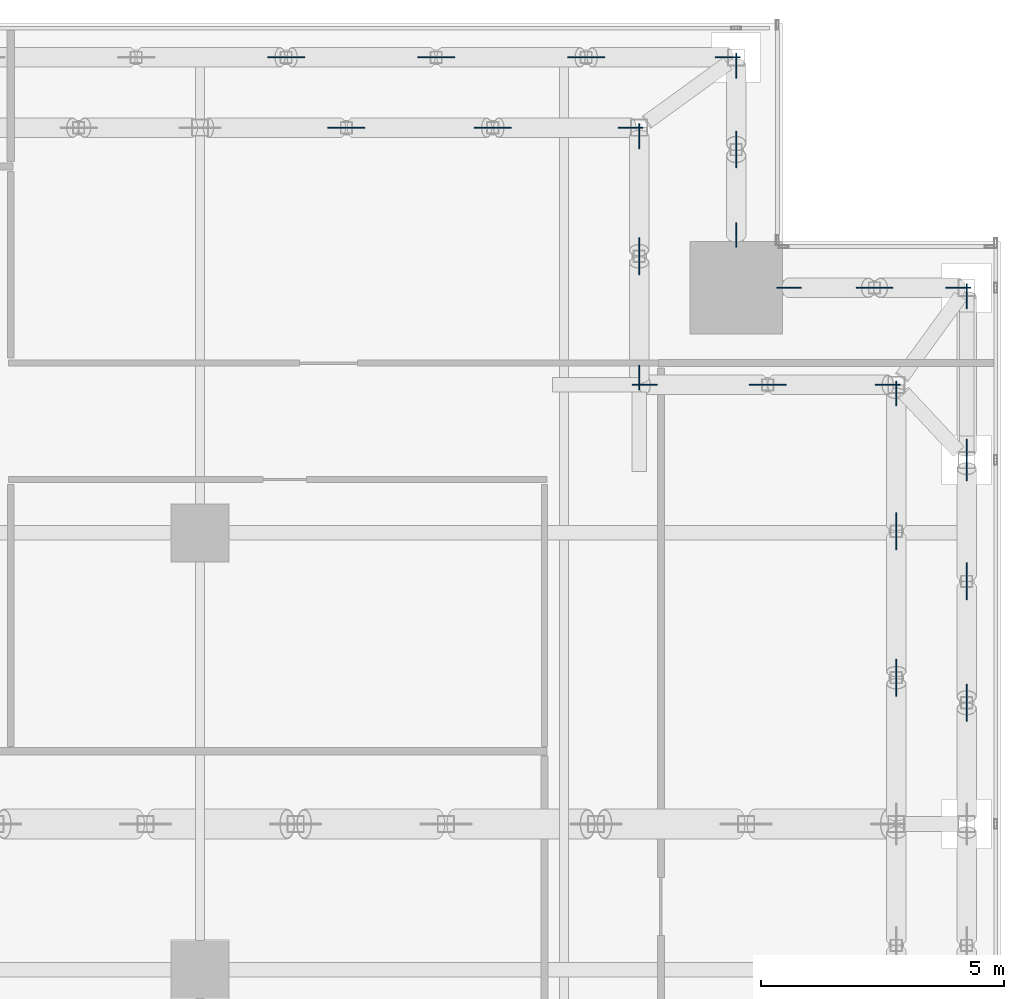
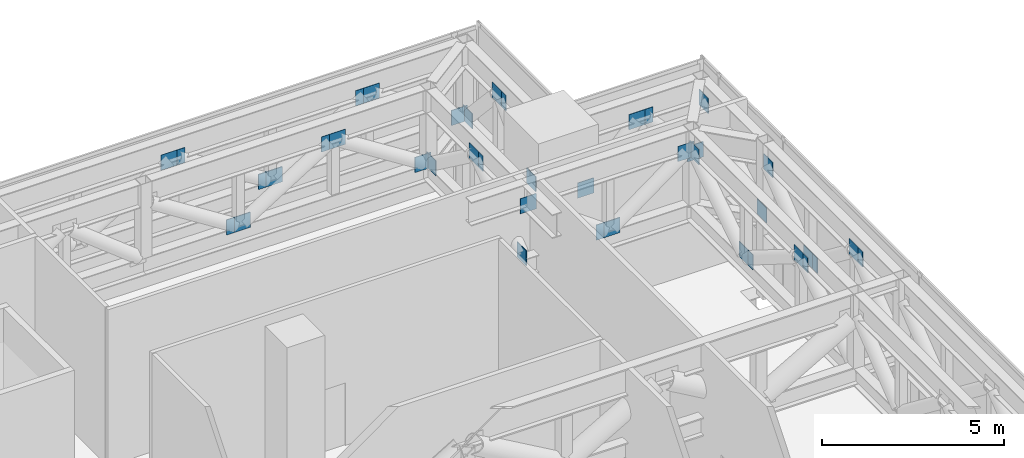
# One storey, part 35 of 36: 40 discrete accessories.
"""IFC4 building model written with IfcOpenShell, lengths in metres."""

from ifc_helpers import new_model, si_unit, direction, frame, origin, origin_2d, place, context, subcontext, project, spatial, rectangle, extrude, source, transform, mapped, material, layer, layer_set, type_object, element, save


model = new_model("IFC4")

# Units and contexts
model_context = context("Model", 3, precision=1e-05, world=origin(), true_north=direction((0.0, 1.0)))
body_context = subcontext(model_context, "Body", "Model", "MODEL_VIEW")
ifc_project = project(units=[si_unit("LENGTHUNIT", "METRE"), si_unit("AREAUNIT", "SQUARE_METRE"), si_unit("VOLUMEUNIT", "CUBIC_METRE"), si_unit("PLANEANGLEUNIT", "RADIAN"), si_unit("MASSUNIT", "GRAM", prefix="KILO")], contexts=[model_context])

# Site, building, storey
site_placement = place(None, origin())
site = spatial("IfcSite", under=ifc_project, at=site_placement, CompositionType="ELEMENT")
building_placement = place(site_placement, origin())
building = spatial("IfcBuilding", under=site, at=building_placement, Name="Khomas Fold Tower", CompositionType="ELEMENT")
storey_placement = place(building_placement, frame((0.0, 0.0, 216.699951171875)))
storey = spatial("IfcBuildingStorey", under=building, at=storey_placement, Name="L48", CompositionType="ELEMENT", Elevation=216.699951171875)

# Discrete accessories
ifc_material = material(Name="Steel S355", Category="steel")
ifc_layer = layer(ifc_material, 0.02490234375)
ifc_layer_set = layer_set([ifc_layer], Name="Steel S355")
discrete_accessory_type = type_object("IfcDiscreteAccessoryType", Name="Gusset plate 25 x 510 GP1", PredefinedType="BRACKET", material=ifc_layer_set)
shared_shape = source(origin(), body_context, "Body", "SweptSolid", [
    extrude(rectangle(XDim=0.510009765625, YDim=0.02490234375, at=origin_2d()), origin(), (0.0, 0.0, 1.0), 0.510009765625),
])
for number, where, z_axis, x_axis, name in (
    (1, (36.14990234375, 50.300048828125, 4.2099609375), (0.0, 0.0, 1.0), (1.0, 0.0, 0.0), "Gusset plate BT3-D"),
    (2, (36.39990234375, 50.300048828125, 4.2099609375), (0.0, 0.0, 1.0), (1.0, 0.0, 0.0), "Gusset plate BT3-D"),
    (3, (37.3916015625, 48.85009765625, 2.47998046875), (0.0, 0.0, 1.0), (1.0, 0.0, 0.0), "Gusset plate BT3-D"),
    (4, (37.6416015625, 48.85009765625, 2.47998046875), (0.0, 0.0, 1.0), (1.0, 0.0, 0.0), "Gusset plate BT3-D"),
    (5, (39.24169921875, 50.300048828125, 2.47998046875), (0.0, 0.0, 1.0), (1.0, 0.0, 0.0), "Gusset plate BT3-D"),
    (6, (39.49169921875, 50.300048828125, 2.47998046875), (0.0, 0.0, 1.0), (1.0, 0.0, 0.0), "Gusset plate BT3-D"),
    (7, (40.408447265625, 48.85009765625, 4.2099609375), (0.0, 0.0, 1.0), (1.0, 0.0, 0.0), "Gusset plate BT3-D"),
    (8, (40.658447265625, 48.85009765625, 4.2099609375), (0.0, 0.0, 1.0), (1.0, 0.0, 0.0), "Gusset plate BT3-D"),
    (9, (42.333251953125, 50.300048828125, 4.2099609375), (0.0, 0.0, 1.0), (1.0, 0.0, 0.0), "Gusset plate BT3-D"),
    (10, (42.583251953125, 50.300048828125, 4.2099609375), (0.0, 0.0, 1.0), (1.0, 0.0, 0.0), "Gusset plate BT3-D"),
    (11, (43.375, 48.85009765625, 2.47998046875), (0.0, 0.0, 1.0), (1.0, 0.0, 0.0), "Gusset plate BT3-D"),
    (12, (43.550048828125, 43.699951171875, 2.47998046875), (0.0, 0.0, 1.0), (0.0, 1.0, 0.0), "Gusset plate BT3-D"),
    (13, (43.550048828125, 46.074951171875, 4.2099609375), (0.0, 0.0, 1.0), (0.0, 1.0, 0.0), "Gusset plate BT3-D"),
    (14, (43.550048828125, 46.324951171875, 4.2099609375), (0.0, 0.0, 1.0), (0.0, 1.0, 0.0), "Gusset plate BT3-D"),
    (15, (43.550048828125, 48.675048828125, 2.47998046875), (0.0, 0.0, 1.0), (0.0, 1.0, 0.0), "Gusset plate BT3-D"),
    (16, (43.664306640625, 43.550048828125, 4.2099609375), (0.0, 0.0, 1.0), (1.0, 0.0, 0.0), "Gusset plate BT3-D"),
    (17, (45.375, 50.300048828125, 2.47998046875), (0.0, 0.0, 1.0), (1.0, 0.0, 0.0), "Gusset plate BT3-D"),
    (18, (45.550048828125, 46.641357421875, 2.47998046875), (0.0, 0.0, 1.0), (0.0, 1.0, 0.0), "Gusset plate BT3-D"),
    (19, (45.550048828125, 48.27490234375, 4.2099609375), (0.0, 0.0, 1.0), (0.0, 1.0, 0.0), "Gusset plate BT3-D"),
    (20, (45.550048828125, 48.52490234375, 4.2099609375), (0.0, 0.0, 1.0), (0.0, 1.0, 0.0), "Gusset plate BT3-D"),
    (21, (45.550048828125, 50.125, 2.47998046875), (0.0, 0.0, 1.0), (0.0, 1.0, 0.0), "Gusset plate BT3-D"),
    (22, (46.074951171875, 43.550048828125, 2.47998046875), (0.0, 0.0, 1.0), (1.0, 0.0, 0.0), "Gusset plate BT3-D"),
    (23, (46.324951171875, 43.550048828125, 2.47998046875), (0.0, 0.0, 1.0), (1.0, 0.0, 0.0), "Gusset plate BT3-D"),
    (24, (46.641357421875, 45.550048828125, 2.47998046875), (0.0, 0.0, 1.0), (1.0, 0.0, 0.0), "Gusset plate BT3-D"),
    (25, (48.27490234375, 45.550048828125, 4.2099609375), (0.0, 0.0, 1.0), (1.0, 0.0, 0.0), "Gusset plate BT3-D"),
    (26, (48.52490234375, 45.550048828125, 4.2099609375), (0.0, 0.0, 1.0), (1.0, 0.0, 0.0), "Gusset plate BT3-D"),
    (27, (48.675048828125, 43.550048828125, 4.2099609375), (0.0, 0.0, 1.0), (1.0, 0.0, 0.0), "Gusset plate BT3-D"),
    (28, (48.85009765625, 37.3916015625, 4.2099609375), (0.0, 0.0, 1.0), (0.0, 1.0, 0.0), "Gusset plate BT3-D"),
    (29, (48.85009765625, 37.6416015625, 4.2099609375), (0.0, 0.0, 1.0), (0.0, 1.0, 0.0), "Gusset plate BT3-D"),
    (30, (48.85009765625, 40.408447265625, 2.47998046875), (0.0, 0.0, 1.0), (0.0, 1.0, 0.0), "Gusset plate BT3-D"),
    (31, (48.85009765625, 40.658447265625, 2.47998046875), (0.0, 0.0, 1.0), (0.0, 1.0, 0.0), "Gusset plate BT3-D"),
    (32, (48.85009765625, 43.375, 4.2099609375), (0.0, 0.0, 1.0), (0.0, 1.0, 0.0), "Gusset plate BT3-D"),
    (33, (50.125, 45.550048828125, 2.47998046875), (0.0, 0.0, 1.0), (1.0, 0.0, 0.0), "Gusset plate BT3-D"),
    (34, (50.300048828125, 36.875, 4.2099609375), (0.0, 0.0, 1.0), (0.0, 1.0, 0.0), "Gusset plate BT3-D"),
    (35, (50.300048828125, 37.125, 4.2099609375), (0.0, 0.0, 1.0), (0.0, 1.0, 0.0), "Gusset plate BT3-D"),
    (36, (50.300048828125, 39.375, 2.47998046875), (0.0, 0.0, 1.0), (0.0, 1.0, 0.0), "Gusset plate BT3-D"),
    (37, (50.300048828125, 39.625, 2.47998046875), (0.0, 0.0, 1.0), (0.0, 1.0, 0.0), "Gusset plate BT3-D"),
    (38, (50.300048828125, 41.824951171875, 4.2099609375), (0.0, 0.0, 1.0), (0.0, 1.0, 0.0), "Gusset plate BT3-D"),
    (39, (50.300048828125, 42.175048828125, 2.47998046875), (0.0, 0.0, 1.0), (0.0, 1.0, 0.0), "Gusset plate BT3-DL"),
    (40, (50.300048828125, 45.375, 4.2099609375), (0.0, 0.0, 1.0), (0.0, 1.0, 0.0), "Gusset plate BT3-DL"),
):
    element("IfcDiscreteAccessory", number, at=place(storey_placement, frame(where, z_axis=z_axis, x_axis=x_axis)), inside=storey, type_object=discrete_accessory_type, Name=name, PredefinedType="BRACKET", context=body_context, shape_type="MappedRepresentation", body=[
        mapped(shared_shape, transform((0.0, 0.0, 0.0))),
    ])

save(model, "model.ifc")
